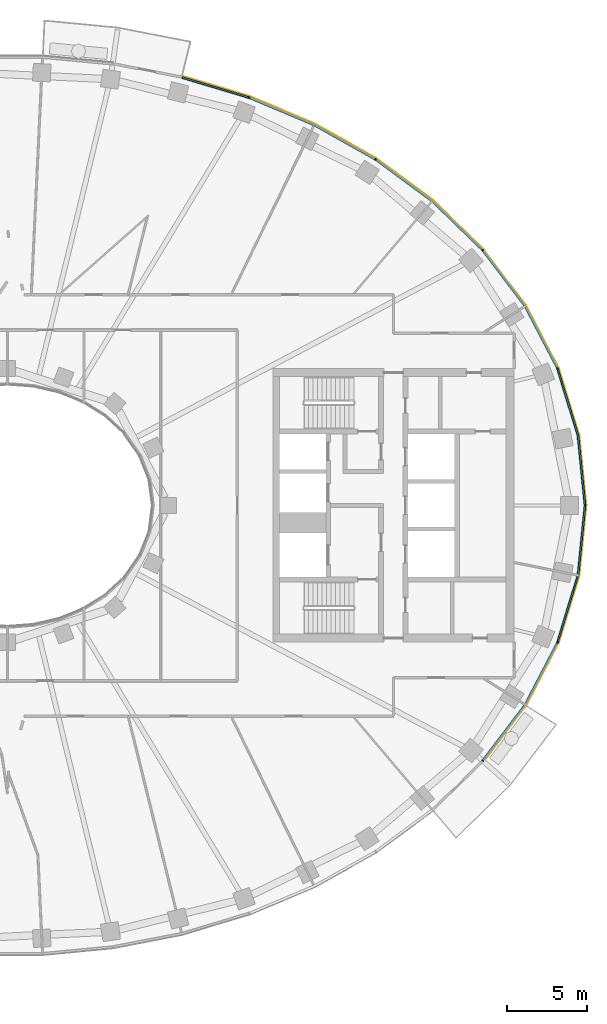
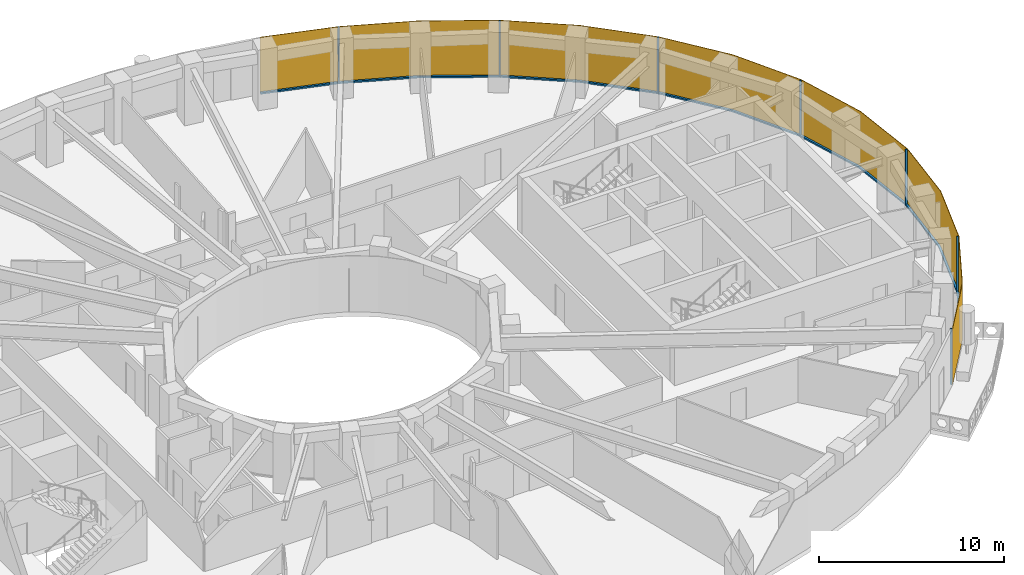
# One storey, part 13 of 16: 14 members, 1 curtain wall.
"""IFC4 building model written with IfcOpenShell, lengths in metres."""

from ifc_helpers import new_model, si_unit, direction, frame, origin, origin_2d, place, context, subcontext, project, spatial, polyline, rectangle, outline, extrude, material, layer, layer_set, material_profile, profile_set, type_object, element, aggregate, save


model = new_model("IFC4")

# Units and contexts
model_context = context("Model", 3, precision=1e-05, world=origin(), true_north=direction((0.0, 1.0)))
body_context = subcontext(model_context, "Body", "Model", "MODEL_VIEW")
ifc_project = project(units=[si_unit("LENGTHUNIT", "METRE"), si_unit("AREAUNIT", "SQUARE_METRE"), si_unit("VOLUMEUNIT", "CUBIC_METRE"), si_unit("PLANEANGLEUNIT", "RADIAN"), si_unit("MASSUNIT", "GRAM", prefix="KILO")], contexts=[model_context])

# Member
ifc_material_1 = material(Name="Aluminium 6063-T6 black anodised", Category="aluminium")
ifc_material_profile = material_profile(ifc_material_1, rectangle(XDim=0.1201171875, YDim=0.06005859375, at=origin_2d()), Name="120x60")
ifc_profile_set = profile_set([ifc_material_profile], Name="Aluminium 6063-T6 black anodised")
member_type_1 = type_object("IfcMemberType", Name="ENV-MULLION-A-120", PredefinedType="MULLION", material=ifc_profile_set)
site_placement = place(None, origin())
building_placement = place(site_placement, origin())
storey_placement = place(building_placement, frame((0.0, 0.0, 237.5)))
member_1_placement = place(storey_placement, frame((29.53857421875, -15.8671875, 0.0), z_axis=(0.0, 0.0, 1.0), x_axis=(-0.749047221705, 0.662516610853, 0.0)))
member_1 = element("IfcMember", 1, at=member_1_placement, type_object=member_type_1, Name="Mullion A radial 43", PredefinedType="MULLION", context=body_context, shape_type="SweptSolid", body=[
    extrude(rectangle(XDim=0.1201171875, YDim=0.06005859375, at=origin_2d()), origin(), (0.0, 0.0, 1.0), 3.699951171875),
])

member_2_placement = place(storey_placement, frame((34.19580078125, -8.513916015625, 0.0), z_axis=(0.0, 0.0, 1.0), x_axis=(-0.92546738067, 0.378827305398, 0.0)))
member_2 = element("IfcMember", 2, at=member_2_placement, type_object=member_type_1, Name="Mullion A radial 45", PredefinedType="MULLION", context=body_context, shape_type="SweptSolid", body=[
    extrude(rectangle(XDim=0.1201171875, YDim=0.06005859375, at=origin_2d()), origin(), (0.0, 0.0, 1.0), 3.699951171875),
])

member_3_placement = place(storey_placement, frame((35.907958984375, 0.0, 0.0), z_axis=(0.0, 0.0, 1.0), x_axis=(-1.0, 0.0, 0.0)))
member_3 = element("IfcMember", 3, at=member_3_placement, type_object=member_type_1, Name="Mullion A radial 01", PredefinedType="MULLION", context=body_context, shape_type="SweptSolid", body=[
    extrude(rectangle(XDim=0.1201171875, YDim=0.06005859375, at=origin_2d()), origin(), (0.0, 0.0, 1.0), 3.699951171875),
])

member_4_placement = place(storey_placement, frame((34.19580078125, 8.513916015625, 0.0), z_axis=(0.0, 0.0, 1.0), x_axis=(-0.92546738067, -0.378827305398, 0.0)))
member_4 = element("IfcMember", 4, at=member_4_placement, type_object=member_type_1, Name="Mullion A radial 03", PredefinedType="MULLION", context=body_context, shape_type="SweptSolid", body=[
    extrude(rectangle(XDim=0.1201171875, YDim=0.06005859375, at=origin_2d()), origin(), (0.0, 0.0, 1.0), 3.699951171875),
])

member_5_placement = place(storey_placement, frame((29.53857421875, 15.8671875, 0.0), z_axis=(0.0, 0.0, 1.0), x_axis=(-0.749047221705, -0.662516610853, 0.0)))
member_5 = element("IfcMember", 5, at=member_5_placement, type_object=member_type_1, Name="Mullion A radial 05", PredefinedType="MULLION", context=body_context, shape_type="SweptSolid", body=[
    extrude(rectangle(XDim=0.1201171875, YDim=0.06005859375, at=origin_2d()), origin(), (0.0, 0.0, 1.0), 3.699951171875),
])

member_6_placement = place(storey_placement, frame((22.882568359375, 21.506591796875, 0.0), z_axis=(0.0, 0.0, 1.0), x_axis=(-0.542279153225, -0.840198381323, 0.0)))
member_6 = element("IfcMember", 6, at=member_6_placement, type_object=member_type_1, Name="Mullion A radial 07", PredefinedType="MULLION", context=body_context, shape_type="SweptSolid", body=[
    extrude(rectangle(XDim=0.1201171875, YDim=0.06005859375, at=origin_2d()), origin(), (0.0, 0.0, 1.0), 3.699951171875),
])

member_7_placement = place(storey_placement, frame((15.0341796875, 25.34375, 0.0), z_axis=(0.0, 0.0, 1.0), x_axis=(-0.338379256581, -0.941009818608, 0.0)))
member_7 = element("IfcMember", 7, at=member_7_placement, type_object=member_type_1, Name="Mullion A radial 09", PredefinedType="MULLION", context=body_context, shape_type="SweptSolid", body=[
    extrude(rectangle(XDim=0.1201171875, YDim=0.06005859375, at=origin_2d()), origin(), (0.0, 0.0, 1.0), 3.699951171875),
])

ifc_material_2 = material(Name="Aluminium 6063-T6 black anodised", Category="aluminium")
member_type_2 = type_object("IfcMemberType", Name="ENV-TRANSOM-A", PredefinedType="USERDEFINED", material=ifc_material_2)
member_8_placement = place(storey_placement, origin())
member_8 = element("IfcMember", 8, at=member_8_placement, type_object=member_type_2, Name="Transom A radial 43-45", ObjectType="TRANSOM", PredefinedType="USERDEFINED", context=body_context, shape_type="SweptSolid", body=[
    extrude(outline(polyline([(29.6005859375, -15.884521484375), (32.22802734375, -12.41748046875), (34.23828125, -8.5615234375), (34.126708984375, -8.515869140625), (32.126220703125, -12.35302734375), (29.51025390625, -15.8046875), (29.6005859375, -15.884521484375)])), origin(), (0.0, 0.0, 1.0), 0.10009765625),
])

member_9_placement = place(storey_placement, origin())
member_9 = element("IfcMember", 9, at=member_9_placement, type_object=member_type_2, Name="Transom A radial 45-01", ObjectType="TRANSOM", PredefinedType="USERDEFINED", context=body_context, shape_type="SweptSolid", body=[
    extrude(outline(polyline([(34.259521484375, -8.509765625), (35.529541015625, -4.352294921875), (35.965087890625, -0.02783203125), (35.844482421875, -0.02783203125), (35.411376953125, -4.32861328125), (34.14794921875, -8.464111328125), (34.259521484375, -8.509765625)])), origin(), (0.0, 0.0, 1.0), 0.10009765625),
])

member_10_placement = place(storey_placement, origin())
member_10 = element("IfcMember", 10, at=member_10_placement, type_object=member_type_2, Name="Transom A radial 01-03", ObjectType="TRANSOM", PredefinedType="USERDEFINED", context=body_context, shape_type="SweptSolid", body=[
    extrude(outline(polyline([(35.965087890625, 0.02783203125), (35.529541015625, 4.352294921875), (34.259521484375, 8.509765625), (34.14794921875, 8.464111328125), (35.411376953125, 4.32861328125), (35.844482421875, 0.02783203125), (35.965087890625, 0.02783203125)])), origin(), (0.0, 0.0, 1.0), 0.10009765625),
])

member_11_placement = place(storey_placement, origin())
member_11 = element("IfcMember", 11, at=member_11_placement, type_object=member_type_2, Name="Transom A radial 03-05", ObjectType="TRANSOM", PredefinedType="USERDEFINED", context=body_context, shape_type="SweptSolid", body=[
    extrude(outline(polyline([(34.23828125, 8.5615234375), (32.22802734375, 12.41748046875), (29.6005859375, 15.884521484375), (29.51025390625, 15.8046875), (32.126220703125, 12.35302734375), (34.126708984375, 8.515869140625), (34.23828125, 8.5615234375)])), origin(), (0.0, 0.0, 1.0), 0.10009765625),
])

member_12_placement = place(storey_placement, origin())
member_12 = element("IfcMember", 12, at=member_12_placement, type_object=member_type_2, Name="Transom A radial 05-07", ObjectType="TRANSOM", PredefinedType="USERDEFINED", context=body_context, shape_type="SweptSolid", body=[
    extrude(outline(polyline([(29.5634765625, 15.926513671875), (26.4423828125, 18.958740234375), (22.937744140625, 21.540283203125), (22.87255859375, 21.439208984375), (26.364501953125, 18.866943359375), (29.473388671875, 15.8466796875), (29.5634765625, 15.926513671875)])), origin(), (0.0, 0.0, 1.0), 0.10009765625),
])

member_13_placement = place(storey_placement, origin())
member_13 = element("IfcMember", 13, at=member_13_placement, type_object=member_type_2, Name="Transom A radial 07-09", ObjectType="TRANSOM", PredefinedType="USERDEFINED", context=body_context, shape_type="SweptSolid", body=[
    extrude(outline(polyline([(22.890625, 21.570556640625), (19.093994140625, 23.701416015625), (15.080322265625, 25.389404296875), (15.03955078125, 25.276123046875), (19.041259765625, 23.593505859375), (22.825439453125, 21.469482421875), (22.890625, 21.570556640625)])), origin(), (0.0, 0.0, 1.0), 0.10009765625),
])

member_14_placement = place(storey_placement, origin())
member_14 = element("IfcMember", 14, at=member_14_placement, type_object=member_type_2, Name="Transom A radial 09-10", ObjectType="TRANSOM", PredefinedType="USERDEFINED", context=body_context, shape_type="SweptSolid", body=[
    extrude(outline(polyline([(15.027587890625, 25.408203125), (10.876708984375, 26.657470703125), (10.847900390625, 26.540771484375), (14.987060546875, 25.295166015625), (15.027587890625, 25.408203125)])), origin(), (0.0, 0.0, 1.0), 0.10009765625),
])

# Site, building, storey
site = spatial("IfcSite", under=ifc_project, at=site_placement, CompositionType="ELEMENT")
building = spatial("IfcBuilding", under=site, at=building_placement, Name="Noorbagh Ring Tower", CompositionType="ELEMENT")
storey = spatial("IfcBuildingStorey", under=building, at=storey_placement, Name="L49", CompositionType="ELEMENT", Elevation=237.5)

# Curtain wall
ifc_material_3 = material(Name="Glass dark tinted laminated", Category="glass")
ifc_layer = layer(ifc_material_3, 0.031982421875)
ifc_layer_set = layer_set([ifc_layer], Name="Glass dark tinted laminated")
curtain_wall_type = type_object("IfcCurtainWallType", Name="ENV-CW-A", PredefinedType="NOTDEFINED", material=ifc_layer_set)
curtain_wall_placement = place(storey_placement, origin())
curtain_wall = element("IfcCurtainWall", 15, at=curtain_wall_placement, inside=storey, type_object=curtain_wall_type, Name="Curtain wall A R43", PredefinedType="NOTDEFINED", context=body_context, shape_type="SweptSolid", body=[
    extrude(outline(polyline([(29.61962890625, -15.912109375), (32.255126953125, -12.434814453125), (34.281005859375, -8.548828125), (35.561279296875, -4.358642578125), (36.0, 0.0), (35.561279296875, 4.358642578125), (34.281005859375, 8.548828125), (32.255126953125, 12.434814453125), (29.607666015625, 15.927978515625), (26.463134765625, 18.9833984375), (22.9326171875, 21.583740234375), (19.108154296875, 23.730224609375), (15.065185546875, 25.430419921875), (10.884521484375, 26.6884765625), (10.876708984375, 26.657470703125), (15.054443359375, 25.400146484375), (19.093994140625, 23.701416015625), (22.9150390625, 21.556884765625), (26.4423828125, 18.958740234375), (29.58349609375, 15.906982421875), (32.22802734375, 12.41748046875), (34.251220703125, 8.53662109375), (35.529541015625, 4.352294921875), (35.9677734375, 0.0), (35.529541015625, -4.352294921875), (34.251220703125, -8.53662109375), (32.22802734375, -12.41748046875), (29.595703125, -15.890869140625), (29.61962890625, -15.912109375)])), origin(), (0.0, 0.0, 1.0), 3.699951171875),
])

aggregate(curtain_wall, [member_1, member_2, member_3, member_4, member_5, member_6, member_7, member_8, member_9, member_10, member_11, member_12, member_13, member_14])

save(model, "model.ifc")
